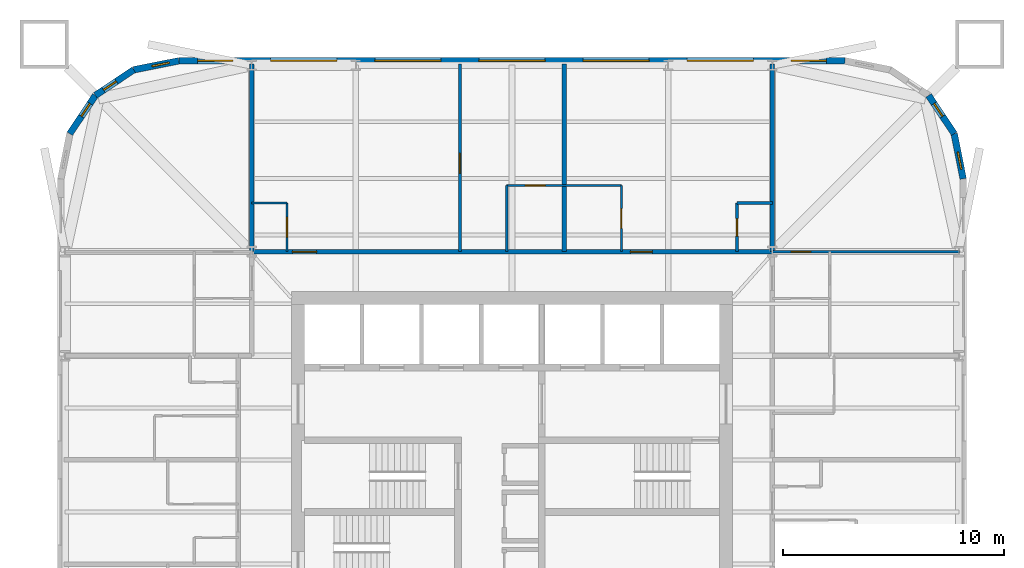
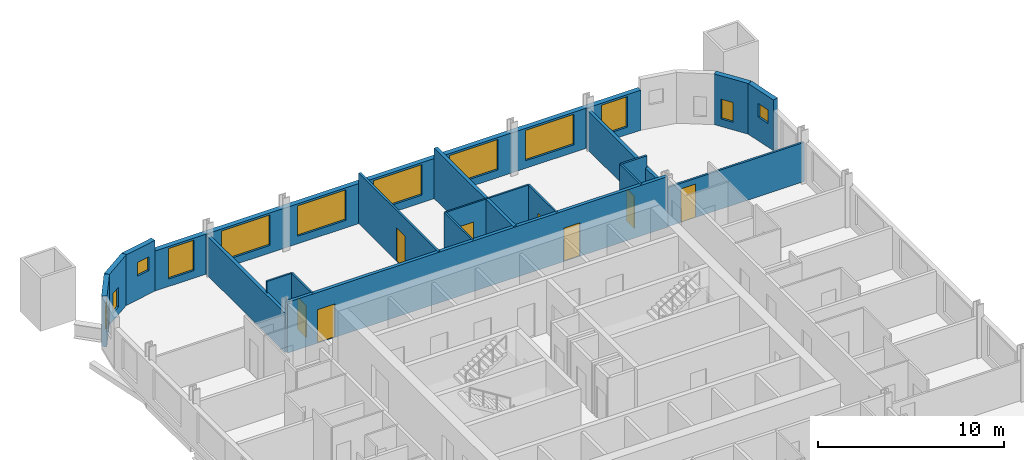
# One storey, part 7 of 9: 19 walls, 12 windows, 8 doors, 20 openings.
"""IFC4 building model written with IfcOpenShell, lengths in metres."""

from ifc_helpers import new_model, si_unit, direction, frame, frame_2d, origin, place, context, subcontext, project, spatial, rectangle, extrude, material, layer, layer_set, type_object, element, fill, save


model = new_model("IFC4")

# Units and contexts
model_context = context("Model", 3, precision=1e-05, world=origin(), true_north=direction((0.0, 1.0)))
body_context = subcontext(model_context, "Body", "Model", "MODEL_VIEW")
ifc_project = project(units=[si_unit("LENGTHUNIT", "METRE"), si_unit("AREAUNIT", "SQUARE_METRE"), si_unit("VOLUMEUNIT", "CUBIC_METRE"), si_unit("PLANEANGLEUNIT", "RADIAN"), si_unit("MASSUNIT", "GRAM", prefix="KILO")], contexts=[model_context])

# Site, building, storey
site_placement = place(None, origin())
site = spatial("IfcSite", under=ifc_project, at=site_placement, CompositionType="ELEMENT")
building_placement = place(site_placement, origin())
building = spatial("IfcBuilding", under=site, at=building_placement, Name="Turquesa Mirador Hotel Tower", CompositionType="ELEMENT")
storey_placement = place(building_placement, frame((0.0, 0.0, 149.39990234375)))
storey = spatial("IfcBuildingStorey", under=building, at=storey_placement, Name="L40", CompositionType="ELEMENT", Elevation=149.39990234375)

# Wall
ifc_material_1 = material(Name="Gypsum board on steel studs", Category="steel")
ifc_layer_1 = layer(ifc_material_1, 0.10009765625)
ifc_layer_set_1 = layer_set([ifc_layer_1], Name="BATHROOM WALL 100")
wall_type_1 = type_object("IfcWallType", Name="BATHROOM WALL 100", PredefinedType="PARTITIONING", material=ifc_layer_set_1)
wall_1_placement = place(storey_placement, frame((43.199951171875, 59.0, 0.0), z_axis=(0.0, 0.0, 1.0), x_axis=(1.0, 0.0, 0.0)))
element("IfcWall", 1, at=wall_1_placement, inside=storey, type_object=wall_type_1, Name="Partition L40 024", PredefinedType="PARTITIONING", context=body_context, shape_type="SweptSolid", body=[
    extrude(rectangle(XDim=1.60009765625, YDim=0.10009765625, at=frame_2d((0.800048828125, 0.0))), origin(), (0.0, 0.0, 1.0), 3.330078125),
])

# Wall, opening, door
wall_2_placement = place(storey_placement, frame((54.760009765625, 59.800048828125, 0.0), z_axis=(0.0, 0.0, 1.0), x_axis=(1.0, 0.0, 0.0)))
wall_2 = element("IfcWall", 2, at=wall_2_placement, inside=storey, type_object=wall_type_1, Name="Partition L40 026", PredefinedType="PARTITIONING", context=body_context, shape_type="SweptSolid", body=[
    extrude(rectangle(XDim=5.199951171875, YDim=0.10009765625, at=frame_2d((2.60009765625, 0.0))), origin(), (0.0, 0.0, 1.0), 3.330078125),
])
opening_1_placement = place(wall_2_placement, frame((0.85009765625, 0.0, 0.0)))
opening_1 = element("IfcOpeningElement", 3, at=opening_1_placement, cuts=wall_2, Name="Opening D02", PredefinedType="OPENING", context=body_context, shape_type="SweptSolid", body=[
    extrude(rectangle(XDim=0.89990234375, YDim=2.10009765625, at=frame_2d((0.449951171875, 1.050048828125))), frame((0.0, 0.06005859375, 0.0), z_axis=(0.0, -1.0, 0.0), x_axis=(1.0, 0.0, 0.0)), (0.0, 0.0, 1.0), 0.1201171875),
])
ifc_material_2 = material(Name="Timber veneered door", Category="wood")
door_type_1 = type_object("IfcDoorType", Name="DOOR 900X2100 EN-SUITE", OperationType="SINGLE_SWING_RIGHT", PredefinedType="DOOR", material=ifc_material_2)
door_1_placement = place(opening_1_placement, origin())
door_1 = element("IfcDoor", 4, at=door_1_placement, inside=storey, type_object=door_type_1, Name="Door 4001B", OperationType="SINGLE_SWING_RIGHT", OverallHeight=2.10009765625, OverallWidth=0.89990234375, PredefinedType="DOOR", context=body_context, shape_type="SweptSolid", body=[
    extrude(rectangle(XDim=0.89990234375, YDim=2.10009765625, at=frame_2d((0.449951171875, 1.050048828125))), frame((0.0, 0.02490234375, 0.0), z_axis=(0.0, -1.0, 0.0), x_axis=(1.0, 0.0, 0.0)), (0.0, 0.0, 1.0), 0.050048828125),
])
fill(opening_1, door_1)

# Wall
wall_3_placement = place(storey_placement, frame((54.760009765625, 56.800048828125, 0.0), z_axis=(0.0, 0.0, 1.0), x_axis=(0.0, 1.0, 0.0)))
element("IfcWall", 5, at=wall_3_placement, inside=storey, type_object=wall_type_1, Name="Partition L40 040", PredefinedType="PARTITIONING", context=body_context, shape_type="SweptSolid", body=[
    extrude(rectangle(XDim=3.0, YDim=0.10009765625, at=frame_2d((1.5, 0.0))), origin(), (0.0, 0.0, 1.0), 3.330078125),
])

# Wall, opening, door
wall_4_placement = place(storey_placement, frame((44.800048828125, 56.800048828125, 0.0), z_axis=(0.0, 0.0, 1.0), x_axis=(0.0, 1.0, 0.0)))
wall_4 = element("IfcWall", 6, at=wall_4_placement, inside=storey, type_object=wall_type_1, Name="Partition L40 042", PredefinedType="PARTITIONING", context=body_context, shape_type="SweptSolid", body=[
    extrude(rectangle(XDim=2.199951171875, YDim=0.10009765625, at=frame_2d((1.10009765625, 0.0))), origin(), (0.0, 0.0, 1.0), 3.330078125),
])
opening_2_placement = place(wall_4_placement, frame((0.64990234375, 0.0, 0.0)))
opening_2 = element("IfcOpeningElement", 7, at=opening_2_placement, cuts=wall_4, Name="Opening D06", PredefinedType="OPENING", context=body_context, shape_type="SweptSolid", body=[
    extrude(rectangle(XDim=0.89990234375, YDim=2.10009765625, at=frame_2d((0.449951171875, 1.050048828125))), frame((0.0, 0.06005859375, 0.0), z_axis=(0.0, -1.0, 0.0), x_axis=(1.0, 0.0, 0.0)), (0.0, 0.0, 1.0), 0.1201171875),
])
ifc_material_3 = material(Name="Laminate door", Category="wood")
door_type_2 = type_object("IfcDoorType", Name="DOOR 900X2100 WC", OperationType="SINGLE_SWING_LEFT", PredefinedType="DOOR", material=ifc_material_3)
door_2_placement = place(opening_2_placement, origin())
door_2 = element("IfcDoor", 8, at=door_2_placement, inside=storey, type_object=door_type_2, Name="Door 4001W", OperationType="SINGLE_SWING_LEFT", OverallHeight=2.10009765625, OverallWidth=0.89990234375, PredefinedType="DOOR", context=body_context, shape_type="SweptSolid", body=[
    extrude(rectangle(XDim=0.89990234375, YDim=2.10009765625, at=frame_2d((0.449951171875, 1.050048828125))), frame((0.0, 0.02490234375, 0.0), z_axis=(0.0, -1.0, 0.0), x_axis=(1.0, 0.0, 0.0)), (0.0, 0.0, 1.0), 0.050048828125),
])
fill(opening_2, door_2)

wall_5_placement = place(storey_placement, frame((59.9599609375, 56.800048828125, 0.0), z_axis=(0.0, 0.0, 1.0), x_axis=(0.0, 1.0, 0.0)))
wall_5 = element("IfcWall", 9, at=wall_5_placement, inside=storey, type_object=wall_type_1, Name="Partition L40 075", PredefinedType="PARTITIONING", context=body_context, shape_type="SweptSolid", body=[
    extrude(rectangle(XDim=3.0, YDim=0.10009765625, at=frame_2d((1.5, 0.0))), origin(), (0.0, 0.0, 1.0), 3.330078125),
])
opening_3_placement = place(wall_5_placement, frame((1.050048828125, 0.0, 0.0)))
opening_3 = element("IfcOpeningElement", 10, at=opening_3_placement, cuts=wall_5, Name="Opening D02", PredefinedType="OPENING", context=body_context, shape_type="SweptSolid", body=[
    extrude(rectangle(XDim=0.89990234375, YDim=2.10009765625, at=frame_2d((0.449951171875, 1.050048828125))), frame((0.0, 0.06005859375, 0.0), z_axis=(0.0, -1.0, 0.0), x_axis=(1.0, 0.0, 0.0)), (0.0, 0.0, 1.0), 0.1201171875),
])
door_3_placement = place(opening_3_placement, origin())
door_3 = element("IfcDoor", 11, at=door_3_placement, inside=storey, type_object=door_type_1, Name="Door 4002B", OperationType="SINGLE_SWING_RIGHT", OverallHeight=2.10009765625, OverallWidth=0.89990234375, PredefinedType="DOOR", context=body_context, shape_type="SweptSolid", body=[
    extrude(rectangle(XDim=0.89990234375, YDim=2.10009765625, at=frame_2d((0.449951171875, 1.050048828125))), frame((0.0, 0.02490234375, 0.0), z_axis=(0.0, -1.0, 0.0), x_axis=(1.0, 0.0, 0.0)), (0.0, 0.0, 1.0), 0.050048828125),
])
fill(opening_3, door_3)

# Wall, openings, doors
ifc_material_4 = material(Name="Fire-rated gypsum board on steel studs", Category="steel")
ifc_layer_2 = layer(ifc_material_4, 0.199951171875)
ifc_layer_set_2 = layer_set([ifc_layer_2], Name="CORRIDOR WALL 200")
wall_type_2 = type_object("IfcWallType", Name="CORRIDOR WALL 200", PredefinedType="PARTITIONING", material=ifc_layer_set_2)
wall_6_placement = place(storey_placement, frame((43.199951171875, 56.800048828125, 0.0), z_axis=(0.0, 0.0, 1.0), x_axis=(1.0, 0.0, 0.0)))
wall_6 = element("IfcWall", 12, at=wall_6_placement, inside=storey, type_object=wall_type_2, Name="Partition L40 021", PredefinedType="PARTITIONING", context=body_context, shape_type="SweptSolid", body=[
    extrude(rectangle(XDim=23.60009765625, YDim=0.199951171875, at=frame_2d((11.800048828125, 0.0))), origin(), (0.0, 0.0, 1.0), 3.330078125),
])
opening_4_placement = place(wall_6_placement, frame((1.85009765625, 0.0, 0.0)))
opening_4 = element("IfcOpeningElement", 13, at=opening_4_placement, cuts=wall_6, Name="Opening D15", PredefinedType="OPENING", context=body_context, shape_type="SweptSolid", body=[
    extrude(rectangle(XDim=1.10009765625, YDim=2.199951171875, at=frame_2d((0.550048828125, 1.10009765625))), frame((0.0, 0.10986328125, 0.0), z_axis=(0.0, -1.0, 0.0), x_axis=(1.0, 0.0, 0.0)), (0.0, 0.0, 1.0), 0.219970703125),
])
opening_5_placement = place(wall_6_placement, frame((17.159912109375, 0.0, 0.0)))
opening_5 = element("IfcOpeningElement", 14, at=opening_5_placement, cuts=wall_6, Name="Opening D01", PredefinedType="OPENING", context=body_context, shape_type="SweptSolid", body=[
    extrude(rectangle(XDim=1.0, YDim=2.199951171875, at=frame_2d((0.5, 1.10009765625))), frame((0.0, 0.10986328125, 0.0), z_axis=(0.0, -1.0, 0.0), x_axis=(1.0, 0.0, 0.0)), (0.0, 0.0, 1.0), 0.219970703125),
])
ifc_material_5 = material(Name="Timber veneered fire door", Category="wood")
door_type_3 = type_object("IfcDoorType", Name="DOOR 1000X2200 GUEST ENTRY", OperationType="SINGLE_SWING_LEFT", PredefinedType="DOOR", material=ifc_material_5)
door_4_placement = place(opening_5_placement, origin())
door_4 = element("IfcDoor", 15, at=door_4_placement, inside=storey, type_object=door_type_3, Name="Door 4002", OperationType="SINGLE_SWING_LEFT", OverallHeight=2.199951171875, OverallWidth=1.0, PredefinedType="DOOR", context=body_context, shape_type="SweptSolid", body=[
    extrude(rectangle(XDim=1.0, YDim=2.199951171875, at=frame_2d((0.5, 1.10009765625))), frame((0.0, 0.02490234375, 0.0), z_axis=(0.0, -1.0, 0.0), x_axis=(1.0, 0.0, 0.0)), (0.0, 0.0, 1.0), 0.050048828125),
])
fill(opening_5, door_4)
ifc_material_6 = material(Name="Timber veneered fire door", Category="wood")
door_type_4 = type_object("IfcDoorType", Name="DOOR 1100X2200 SUITE ENTRY", OperationType="SINGLE_SWING_LEFT", PredefinedType="DOOR", material=ifc_material_6)
door_5_placement = place(opening_4_placement, origin())
door_5 = element("IfcDoor", 16, at=door_5_placement, inside=storey, type_object=door_type_4, Name="Door 4001", OperationType="SINGLE_SWING_LEFT", OverallHeight=2.199951171875, OverallWidth=1.10009765625, PredefinedType="DOOR", context=body_context, shape_type="SweptSolid", body=[
    extrude(rectangle(XDim=1.10009765625, YDim=2.199951171875, at=frame_2d((0.550048828125, 1.10009765625))), frame((0.0, 0.02490234375, 0.0), z_axis=(0.0, -1.0, 0.0), x_axis=(1.0, 0.0, 0.0)), (0.0, 0.0, 1.0), 0.050048828125),
])
fill(opening_4, door_5)

# Wall, opening, window
ifc_material_7 = material(Name="Limestone cladding on concrete block", Category="masonry")
ifc_layer_3 = layer(ifc_material_7, 0.300048828125)
ifc_layer_set_3 = layer_set([ifc_layer_3], Name="FACADE WALL 300 STONE SCREEN")
wall_type_3 = type_object("IfcWallType", Name="FACADE WALL 300 STONE SCREEN", PredefinedType="SOLIDWALL", material=ifc_layer_set_3)
wall_7_placement = place(storey_placement, frame((75.449951171875, 60.10009765625, 0.0), z_axis=(0.0, 0.0, 1.0), x_axis=(-0.195081421501, 0.980787050784, 0.0)))
wall_7 = element("IfcWall", 17, at=wall_7_placement, inside=storey, type_object=wall_type_3, Name="Facade wall L40 05", PredefinedType="SOLIDWALL", context=body_context, shape_type="SweptSolid", body=[
    extrude(rectangle(XDim=2.08740234375, YDim=0.300048828125, at=frame_2d((1.043701171875, 0.0))), origin(), (0.0, 0.0, 1.0), 3.330078125),
])
opening_6_placement = place(wall_7_placement, frame((0.443603515625, 0.0, 1.550048828125)))
opening_6 = element("IfcOpeningElement", 18, at=opening_6_placement, cuts=wall_7, Name="Opening WN18", PredefinedType="OPENING", context=body_context, shape_type="SweptSolid", body=[
    extrude(rectangle(XDim=0.800048828125, YDim=0.89990234375, at=frame_2d((0.39990234375, 0.449951171875))), frame((0.0, 0.159912109375, 0.0), z_axis=(0.0, -1.0, 0.0), x_axis=(1.0, 0.0, 0.0)), (0.0, 0.0, 1.0), 0.320068359375),
])
ifc_material_8 = material(Name="Ceramic-fritted laminated glass", Category="glass")
window_type_1 = type_object("IfcWindowType", Name="FRITTED CORNER WINDOW 800X900", PartitioningType="DOUBLE_PANEL_HORIZONTAL", PredefinedType="WINDOW", material=ifc_material_8)
window_1_placement = place(opening_6_placement, origin())
window_1 = element("IfcWindow", 19, at=window_1_placement, inside=storey, type_object=window_type_1, Name="Window L40", OverallHeight=0.89990234375, OverallWidth=0.800048828125, PartitioningType="SINGLE_PANEL", PredefinedType="WINDOW", context=body_context, shape_type="SweptSolid", body=[
    extrude(rectangle(XDim=0.800048828125, YDim=0.89990234375, at=frame_2d((0.39990234375, 0.449951171875))), frame((0.0, 0.030029296875, 0.0), z_axis=(0.0, -1.0, 0.0), x_axis=(1.0, 0.0, 0.0)), (0.0, 0.0, 1.0), 0.06005859375),
])
fill(opening_6, window_1)

wall_8_placement = place(storey_placement, frame((75.042724609375, 62.1474609375, 0.0), z_axis=(0.0, 0.0, 1.0), x_axis=(-0.555563607591, 0.831474039234, 0.0)))
wall_8 = element("IfcWall", 20, at=wall_8_placement, inside=storey, type_object=wall_type_3, Name="Facade wall L40 06", PredefinedType="SOLIDWALL", context=body_context, shape_type="SweptSolid", body=[
    extrude(rectangle(XDim=2.08740234375, YDim=0.300048828125, at=frame_2d((1.043701171875, 0.0))), origin(), (0.0, 0.0, 1.0), 3.330078125),
])
opening_7_placement = place(wall_8_placement, frame((0.943603515625, 0.0, 0.5)))
opening_7 = element("IfcOpeningElement", 21, at=opening_7_placement, cuts=wall_8, Name="Opening WN17", PredefinedType="OPENING", context=body_context, shape_type="SweptSolid", body=[
    extrude(rectangle(XDim=0.699951171875, YDim=1.300048828125, at=frame_2d((0.35009765625, 0.64990234375))), frame((0.0, 0.159912109375, 0.0), z_axis=(0.0, -1.0, 0.0), x_axis=(1.0, 0.0, 0.0)), (0.0, 0.0, 1.0), 0.320068359375),
])
ifc_material_9 = material(Name="Ceramic-fritted laminated glass", Category="glass")
window_type_2 = type_object("IfcWindowType", Name="FRITTED CORNER WINDOW 700X1300", PartitioningType="DOUBLE_PANEL_HORIZONTAL", PredefinedType="WINDOW", material=ifc_material_9)
window_2_placement = place(opening_7_placement, origin())
window_2 = element("IfcWindow", 22, at=window_2_placement, inside=storey, type_object=window_type_2, Name="Window L40", OverallHeight=1.300048828125, OverallWidth=0.699951171875, PartitioningType="SINGLE_PANEL", PredefinedType="WINDOW", context=body_context, shape_type="SweptSolid", body=[
    extrude(rectangle(XDim=0.699951171875, YDim=1.300048828125, at=frame_2d((0.35009765625, 0.64990234375))), frame((0.0, 0.030029296875, 0.0), z_axis=(0.0, -1.0, 0.0), x_axis=(1.0, 0.0, 0.0)), (0.0, 0.0, 1.0), 0.06005859375),
])
fill(opening_7, window_2)

# Wall, openings, windows
wall_9_placement = place(storey_placement, frame((70.10009765625, 65.449951171875, 0.0), z_axis=(0.0, 0.0, 1.0), x_axis=(-1.0, 0.0, 0.0)))
wall_9 = element("IfcWall", 23, at=wall_9_placement, inside=storey, type_object=wall_type_3, Name="Facade wall L40 09", PredefinedType="SOLIDWALL", context=body_context, shape_type="SweptSolid", body=[
    extrude(rectangle(XDim=30.2001953125, YDim=0.300048828125, at=frame_2d((15.10009765625, 0.0))), origin(), (0.0, 0.0, 1.0), 2.630126953125),
])
opening_8_placement = place(wall_9_placement, frame((0.85009765625, 0.0, 0.5)))
opening_8 = element("IfcOpeningElement", 24, at=opening_8_placement, cuts=wall_9, Name="Opening WN3", PredefinedType="OPENING", context=body_context, shape_type="SweptSolid", body=[
    extrude(rectangle(XDim=1.60009765625, YDim=2.0, at=frame_2d((0.800048828125, 1.0))), frame((0.0, 0.159912109375, 0.0), z_axis=(0.0, -1.0, 0.0), x_axis=(1.0, 0.0, 0.0)), (0.0, 0.0, 1.0), 0.320068359375),
])
opening_9_placement = place(wall_9_placement, frame((4.159912109375, 0.0, 0.5)))
opening_9 = element("IfcOpeningElement", 25, at=opening_9_placement, cuts=wall_9, Name="Opening WN1", PredefinedType="OPENING", context=body_context, shape_type="SweptSolid", body=[
    extrude(rectangle(XDim=3.0, YDim=2.0, at=frame_2d((1.5, 1.0))), frame((0.0, 0.159912109375, 0.0), z_axis=(0.0, -1.0, 0.0), x_axis=(1.0, 0.0, 0.0)), (0.0, 0.0, 1.0), 0.320068359375),
])
opening_10_placement = place(wall_9_placement, frame((8.8798828125, 0.0, 0.5)))
opening_10 = element("IfcOpeningElement", 26, at=opening_10_placement, cuts=wall_9, Name="Opening WN1", PredefinedType="OPENING", context=body_context, shape_type="SweptSolid", body=[
    extrude(rectangle(XDim=3.0, YDim=2.0, at=frame_2d((1.5, 1.0))), frame((0.0, 0.159912109375, 0.0), z_axis=(0.0, -1.0, 0.0), x_axis=(1.0, 0.0, 0.0)), (0.0, 0.0, 1.0), 0.320068359375),
])
opening_11_placement = place(wall_9_placement, frame((13.60009765625, 0.0, 0.5)))
opening_11 = element("IfcOpeningElement", 27, at=opening_11_placement, cuts=wall_9, Name="Opening WN1", PredefinedType="OPENING", context=body_context, shape_type="SweptSolid", body=[
    extrude(rectangle(XDim=3.0, YDim=2.0, at=frame_2d((1.5, 1.0))), frame((0.0, 0.159912109375, 0.0), z_axis=(0.0, -1.0, 0.0), x_axis=(1.0, 0.0, 0.0)), (0.0, 0.0, 1.0), 0.320068359375),
])
opening_12_placement = place(wall_9_placement, frame((18.320068359375, 0.0, 0.5)))
opening_12 = element("IfcOpeningElement", 28, at=opening_12_placement, cuts=wall_9, Name="Opening WN1", PredefinedType="OPENING", context=body_context, shape_type="SweptSolid", body=[
    extrude(rectangle(XDim=3.0, YDim=2.0, at=frame_2d((1.5, 1.0))), frame((0.0, 0.159912109375, 0.0), z_axis=(0.0, -1.0, 0.0), x_axis=(1.0, 0.0, 0.0)), (0.0, 0.0, 1.0), 0.320068359375),
])
opening_13_placement = place(wall_9_placement, frame((23.0400390625, 0.0, 0.5)))
opening_13 = element("IfcOpeningElement", 29, at=opening_13_placement, cuts=wall_9, Name="Opening WN1", PredefinedType="OPENING", context=body_context, shape_type="SweptSolid", body=[
    extrude(rectangle(XDim=3.0, YDim=2.0, at=frame_2d((1.5, 1.0))), frame((0.0, 0.159912109375, 0.0), z_axis=(0.0, -1.0, 0.0), x_axis=(1.0, 0.0, 0.0)), (0.0, 0.0, 1.0), 0.320068359375),
])
opening_14_placement = place(wall_9_placement, frame((27.75, 0.0, 0.5)))
opening_14 = element("IfcOpeningElement", 30, at=opening_14_placement, cuts=wall_9, Name="Opening WN3", PredefinedType="OPENING", context=body_context, shape_type="SweptSolid", body=[
    extrude(rectangle(XDim=1.60009765625, YDim=2.0, at=frame_2d((0.800048828125, 1.0))), frame((0.0, 0.159912109375, 0.0), z_axis=(0.0, -1.0, 0.0), x_axis=(1.0, 0.0, 0.0)), (0.0, 0.0, 1.0), 0.320068359375),
])
ifc_material_10 = material(Name="Ceramic-fritted laminated glass", Category="glass")
window_type_3 = type_object("IfcWindowType", Name="FRITTED WINDOW 1600X2000", PartitioningType="DOUBLE_PANEL_HORIZONTAL", PredefinedType="WINDOW", material=ifc_material_10)
window_3_placement = place(opening_8_placement, origin())
window_3 = element("IfcWindow", 31, at=window_3_placement, inside=storey, type_object=window_type_3, Name="Window L40", OverallHeight=2.0, OverallWidth=1.60009765625, PartitioningType="SINGLE_PANEL", PredefinedType="WINDOW", context=body_context, shape_type="SweptSolid", body=[
    extrude(rectangle(XDim=1.60009765625, YDim=2.0, at=frame_2d((0.800048828125, 1.0))), frame((0.0, 0.030029296875, 0.0), z_axis=(0.0, -1.0, 0.0), x_axis=(1.0, 0.0, 0.0)), (0.0, 0.0, 1.0), 0.06005859375),
])
fill(opening_8, window_3)
window_4_placement = place(opening_14_placement, origin())
window_4 = element("IfcWindow", 32, at=window_4_placement, inside=storey, type_object=window_type_3, Name="Window L40", OverallHeight=2.0, OverallWidth=1.60009765625, PartitioningType="SINGLE_PANEL", PredefinedType="WINDOW", context=body_context, shape_type="SweptSolid", body=[
    extrude(rectangle(XDim=1.60009765625, YDim=2.0, at=frame_2d((0.800048828125, 1.0))), frame((0.0, 0.030029296875, 0.0), z_axis=(0.0, -1.0, 0.0), x_axis=(1.0, 0.0, 0.0)), (0.0, 0.0, 1.0), 0.06005859375),
])
fill(opening_14, window_4)
ifc_material_11 = material(Name="Ceramic-fritted laminated glass", Category="glass")
window_type_4 = type_object("IfcWindowType", Name="FRITTED WINDOW 3000X2000", PartitioningType="DOUBLE_PANEL_HORIZONTAL", PredefinedType="WINDOW", material=ifc_material_11)
window_5_placement = place(opening_9_placement, origin())
window_5 = element("IfcWindow", 33, at=window_5_placement, inside=storey, type_object=window_type_4, Name="Window L40", OverallHeight=2.0, OverallWidth=3.0, PartitioningType="SINGLE_PANEL", PredefinedType="WINDOW", context=body_context, shape_type="SweptSolid", body=[
    extrude(rectangle(XDim=3.0, YDim=2.0, at=frame_2d((1.5, 1.0))), frame((0.0, 0.030029296875, 0.0), z_axis=(0.0, -1.0, 0.0), x_axis=(1.0, 0.0, 0.0)), (0.0, 0.0, 1.0), 0.06005859375),
])
fill(opening_9, window_5)
window_6_placement = place(opening_10_placement, origin())
window_6 = element("IfcWindow", 34, at=window_6_placement, inside=storey, type_object=window_type_4, Name="Window L40", OverallHeight=2.0, OverallWidth=3.0, PartitioningType="SINGLE_PANEL", PredefinedType="WINDOW", context=body_context, shape_type="SweptSolid", body=[
    extrude(rectangle(XDim=3.0, YDim=2.0, at=frame_2d((1.5, 1.0))), frame((0.0, 0.030029296875, 0.0), z_axis=(0.0, -1.0, 0.0), x_axis=(1.0, 0.0, 0.0)), (0.0, 0.0, 1.0), 0.06005859375),
])
fill(opening_10, window_6)
window_7_placement = place(opening_11_placement, origin())
window_7 = element("IfcWindow", 35, at=window_7_placement, inside=storey, type_object=window_type_4, Name="Window L40", OverallHeight=2.0, OverallWidth=3.0, PartitioningType="SINGLE_PANEL", PredefinedType="WINDOW", context=body_context, shape_type="SweptSolid", body=[
    extrude(rectangle(XDim=3.0, YDim=2.0, at=frame_2d((1.5, 1.0))), frame((0.0, 0.030029296875, 0.0), z_axis=(0.0, -1.0, 0.0), x_axis=(1.0, 0.0, 0.0)), (0.0, 0.0, 1.0), 0.06005859375),
])
fill(opening_11, window_7)
window_8_placement = place(opening_12_placement, origin())
window_8 = element("IfcWindow", 36, at=window_8_placement, inside=storey, type_object=window_type_4, Name="Window L40", OverallHeight=2.0, OverallWidth=3.0, PartitioningType="SINGLE_PANEL", PredefinedType="WINDOW", context=body_context, shape_type="SweptSolid", body=[
    extrude(rectangle(XDim=3.0, YDim=2.0, at=frame_2d((1.5, 1.0))), frame((0.0, 0.030029296875, 0.0), z_axis=(0.0, -1.0, 0.0), x_axis=(1.0, 0.0, 0.0)), (0.0, 0.0, 1.0), 0.06005859375),
])
fill(opening_12, window_8)
window_9_placement = place(opening_13_placement, origin())
window_9 = element("IfcWindow", 37, at=window_9_placement, inside=storey, type_object=window_type_4, Name="Window L40", OverallHeight=2.0, OverallWidth=3.0, PartitioningType="SINGLE_PANEL", PredefinedType="WINDOW", context=body_context, shape_type="SweptSolid", body=[
    extrude(rectangle(XDim=3.0, YDim=2.0, at=frame_2d((1.5, 1.0))), frame((0.0, 0.030029296875, 0.0), z_axis=(0.0, -1.0, 0.0), x_axis=(1.0, 0.0, 0.0)), (0.0, 0.0, 1.0), 0.06005859375),
])
fill(opening_13, window_9)

# Wall, opening, window
wall_10_placement = place(storey_placement, frame((39.89990234375, 65.449951171875, 0.0), z_axis=(0.0, 0.0, 1.0), x_axis=(-0.980787050784, -0.195081421501, 0.0)))
wall_10 = element("IfcWall", 38, at=wall_10_placement, inside=storey, type_object=wall_type_3, Name="Facade wall L40 10", PredefinedType="SOLIDWALL", context=body_context, shape_type="SweptSolid", body=[
    extrude(rectangle(XDim=2.08740234375, YDim=0.300048828125, at=frame_2d((1.043701171875, 0.0))), origin(), (0.0, 0.0, 1.0), 3.330078125),
])
opening_15_placement = place(wall_10_placement, frame((0.443603515625, 0.0, 1.550048828125)))
opening_15 = element("IfcOpeningElement", 39, at=opening_15_placement, cuts=wall_10, Name="Opening WN18", PredefinedType="OPENING", context=body_context, shape_type="SweptSolid", body=[
    extrude(rectangle(XDim=0.800048828125, YDim=0.89990234375, at=frame_2d((0.39990234375, 0.449951171875))), frame((0.0, 0.159912109375, 0.0), z_axis=(0.0, -1.0, 0.0), x_axis=(1.0, 0.0, 0.0)), (0.0, 0.0, 1.0), 0.320068359375),
])
window_10_placement = place(opening_15_placement, origin())
window_10 = element("IfcWindow", 40, at=window_10_placement, inside=storey, type_object=window_type_1, Name="Window L40", OverallHeight=0.89990234375, OverallWidth=0.800048828125, PartitioningType="SINGLE_PANEL", PredefinedType="WINDOW", context=body_context, shape_type="SweptSolid", body=[
    extrude(rectangle(XDim=0.800048828125, YDim=0.89990234375, at=frame_2d((0.39990234375, 0.449951171875))), frame((0.0, 0.030029296875, 0.0), z_axis=(0.0, -1.0, 0.0), x_axis=(1.0, 0.0, 0.0)), (0.0, 0.0, 1.0), 0.06005859375),
])
fill(opening_15, window_10)

wall_11_placement = place(storey_placement, frame((37.8525390625, 65.042724609375, 0.0), z_axis=(0.0, 0.0, 1.0), x_axis=(-0.831474039234, -0.555563607591, 0.0)))
wall_11 = element("IfcWall", 41, at=wall_11_placement, inside=storey, type_object=wall_type_3, Name="Facade wall L40 11", PredefinedType="SOLIDWALL", context=body_context, shape_type="SweptSolid", body=[
    extrude(rectangle(XDim=2.08740234375, YDim=0.300048828125, at=frame_2d((1.043701171875, 0.0))), origin(), (0.0, 0.0, 1.0), 3.330078125),
])
opening_16_placement = place(wall_11_placement, frame((0.943603515625, 0.0, 0.5)))
opening_16 = element("IfcOpeningElement", 42, at=opening_16_placement, cuts=wall_11, Name="Opening WN17", PredefinedType="OPENING", context=body_context, shape_type="SweptSolid", body=[
    extrude(rectangle(XDim=0.699951171875, YDim=1.300048828125, at=frame_2d((0.35009765625, 0.64990234375))), frame((0.0, 0.159912109375, 0.0), z_axis=(0.0, -1.0, 0.0), x_axis=(1.0, 0.0, 0.0)), (0.0, 0.0, 1.0), 0.320068359375),
])
window_11_placement = place(opening_16_placement, origin())
window_11 = element("IfcWindow", 43, at=window_11_placement, inside=storey, type_object=window_type_2, Name="Window L40", OverallHeight=1.300048828125, OverallWidth=0.699951171875, PartitioningType="SINGLE_PANEL", PredefinedType="WINDOW", context=body_context, shape_type="SweptSolid", body=[
    extrude(rectangle(XDim=0.699951171875, YDim=1.300048828125, at=frame_2d((0.35009765625, 0.64990234375))), frame((0.0, 0.030029296875, 0.0), z_axis=(0.0, -1.0, 0.0), x_axis=(1.0, 0.0, 0.0)), (0.0, 0.0, 1.0), 0.06005859375),
])
fill(opening_16, window_11)

wall_12_placement = place(storey_placement, frame((36.116943359375, 63.883056640625, 0.0), z_axis=(0.0, 0.0, 1.0), x_axis=(-0.555563607591, -0.831474039234, 0.0)))
wall_12 = element("IfcWall", 44, at=wall_12_placement, inside=storey, type_object=wall_type_3, Name="Facade wall L40 12", PredefinedType="SOLIDWALL", context=body_context, shape_type="SweptSolid", body=[
    extrude(rectangle(XDim=2.08740234375, YDim=0.300048828125, at=frame_2d((1.043701171875, 0.0))), origin(), (0.0, 0.0, 1.0), 3.330078125),
])
opening_17_placement = place(wall_12_placement, frame((0.443603515625, 0.0, 0.5)))
opening_17 = element("IfcOpeningElement", 45, at=opening_17_placement, cuts=wall_12, Name="Opening WN17", PredefinedType="OPENING", context=body_context, shape_type="SweptSolid", body=[
    extrude(rectangle(XDim=0.699951171875, YDim=1.300048828125, at=frame_2d((0.35009765625, 0.64990234375))), frame((0.0, 0.159912109375, 0.0), z_axis=(0.0, -1.0, 0.0), x_axis=(1.0, 0.0, 0.0)), (0.0, 0.0, 1.0), 0.320068359375),
])
window_12_placement = place(opening_17_placement, origin())
window_12 = element("IfcWindow", 46, at=window_12_placement, inside=storey, type_object=window_type_2, Name="Window L40", OverallHeight=1.300048828125, OverallWidth=0.699951171875, PartitioningType="SINGLE_PANEL", PredefinedType="WINDOW", context=body_context, shape_type="SweptSolid", body=[
    extrude(rectangle(XDim=0.699951171875, YDim=1.300048828125, at=frame_2d((0.35009765625, 0.64990234375))), frame((0.0, 0.030029296875, 0.0), z_axis=(0.0, -1.0, 0.0), x_axis=(1.0, 0.0, 0.0)), (0.0, 0.0, 1.0), 0.06005859375),
])
fill(opening_17, window_12)

# Walls
ifc_material_12 = material(Name="Fire-rated gypsum board on steel studs", Category="steel")
ifc_layer_4 = layer(ifc_material_12, 0.199951171875)
ifc_layer_set_4 = layer_set([ifc_layer_4], Name="PARTY WALL 200")
wall_type_4 = type_object("IfcWallType", Name="PARTY WALL 200", PredefinedType="PARTITIONING", material=ifc_layer_set_4)
for number, where, z_axis, x_axis, name in (
    (47, (43.199951171875, 56.800048828125, 0.0), (0.0, 0.0, 1.0), (0.0, 1.0, 0.0), "Partition L40 046"),
    (48, (66.800048828125, 56.800048828125, 0.0), (0.0, 0.0, 1.0), (0.0, 1.0, 0.0), "Partition L40 063"),
):
    element("IfcWall", number, at=place(storey_placement, frame(where, z_axis=z_axis, x_axis=x_axis)), inside=storey, type_object=wall_type_4, Name=name, PredefinedType="PARTITIONING", context=body_context, shape_type="SweptSolid", body=[
        extrude(rectangle(XDim=8.5, YDim=0.199951171875, at=frame_2d((4.25, 0.0))), origin(), (0.0, 0.0, 1.0), 2.5732421875),
    ])
wall_13_placement = place(storey_placement, frame((57.360107421875, 56.800048828125, 0.0), z_axis=(0.0, 0.0, 1.0), x_axis=(0.0, 1.0, 0.0)))
element("IfcWall", 49, at=wall_13_placement, inside=storey, type_object=wall_type_4, Name="Partition L40 073", PredefinedType="PARTITIONING", context=body_context, shape_type="SweptSolid", body=[
    extrude(rectangle(XDim=8.5, YDim=0.199951171875, at=frame_2d((4.25, 0.0))), origin(), (0.0, 0.0, 1.0), 3.330078125),
])

# Wall, opening, door
ifc_material_13 = material(Name="Acoustic gypsum board on steel studs", Category="steel")
ifc_layer_5 = layer(ifc_material_13, 0.125)
ifc_layer_set_5 = layer_set([ifc_layer_5], Name="SUITE PARTITION 125")
wall_type_5 = type_object("IfcWallType", Name="SUITE PARTITION 125", PredefinedType="PARTITIONING", material=ifc_layer_set_5)
wall_14_placement = place(storey_placement, frame((66.800048828125, 56.800048828125, 0.0), z_axis=(0.0, 0.0, 1.0), x_axis=(1.0, 0.0, 0.0)))
wall_14 = element("IfcWall", 50, at=wall_14_placement, inside=storey, type_object=wall_type_5, Name="Partition L40 023", PredefinedType="PARTITIONING", context=body_context, shape_type="SweptSolid", body=[
    extrude(rectangle(XDim=8.5, YDim=0.125, at=frame_2d((4.25, 0.0))), origin(), (0.0, 0.0, 1.0), 2.5732421875),
])
opening_18_placement = place(wall_14_placement, frame((0.85009765625, 0.0, 0.0)))
opening_18 = element("IfcOpeningElement", 51, at=opening_18_placement, cuts=wall_14, Name="Opening D17", PredefinedType="OPENING", context=body_context, shape_type="SweptSolid", body=[
    extrude(rectangle(XDim=0.89990234375, YDim=2.199951171875, at=frame_2d((0.449951171875, 1.10009765625))), frame((0.0, 0.072509765625, 0.0), z_axis=(0.0, -1.0, 0.0), x_axis=(1.0, 0.0, 0.0)), (0.0, 0.0, 1.0), 0.14501953125),
])
ifc_material_14 = material(Name="Timber veneered door", Category="wood")
door_type_5 = type_object("IfcDoorType", Name="DOOR 900X2200 SUITE INTERNAL", OperationType="SINGLE_SWING_LEFT", PredefinedType="DOOR", material=ifc_material_14)
door_6_placement = place(opening_18_placement, origin())
door_6 = element("IfcDoor", 52, at=door_6_placement, inside=storey, type_object=door_type_5, Name="Door 4011", OperationType="SINGLE_SWING_LEFT", OverallHeight=2.199951171875, OverallWidth=0.89990234375, PredefinedType="DOOR", context=body_context, shape_type="SweptSolid", body=[
    extrude(rectangle(XDim=0.89990234375, YDim=2.199951171875, at=frame_2d((0.449951171875, 1.10009765625))), frame((0.0, 0.02490234375, 0.0), z_axis=(0.0, -1.0, 0.0), x_axis=(1.0, 0.0, 0.0)), (0.0, 0.0, 1.0), 0.050048828125),
])
fill(opening_18, door_6)

# Wall
wall_15_placement = place(storey_placement, frame((65.199951171875, 59.0, 0.0), z_axis=(0.0, 0.0, 1.0), x_axis=(1.0, 0.0, 0.0)))
element("IfcWall", 53, at=wall_15_placement, inside=storey, type_object=wall_type_5, Name="Partition L40 025", PredefinedType="PARTITIONING", context=body_context, shape_type="SweptSolid", body=[
    extrude(rectangle(XDim=1.60009765625, YDim=0.125, at=frame_2d((0.800048828125, 0.0))), origin(), (0.0, 0.0, 1.0), 3.330078125),
])

# Wall, opening, door
wall_16_placement = place(storey_placement, frame((52.639892578125, 56.800048828125, 0.0), z_axis=(0.0, 0.0, 1.0), x_axis=(0.0, 1.0, 0.0)))
wall_16 = element("IfcWall", 54, at=wall_16_placement, inside=storey, type_object=wall_type_5, Name="Partition L40 058", PredefinedType="PARTITIONING", context=body_context, shape_type="SweptSolid", body=[
    extrude(rectangle(XDim=8.5, YDim=0.125, at=frame_2d((4.25, 0.0))), origin(), (0.0, 0.0, 1.0), 3.330078125),
])
opening_19_placement = place(wall_16_placement, frame((3.550048828125, 0.0, 0.0)))
opening_19 = element("IfcOpeningElement", 55, at=opening_19_placement, cuts=wall_16, Name="Opening D17", PredefinedType="OPENING", context=body_context, shape_type="SweptSolid", body=[
    extrude(rectangle(XDim=0.89990234375, YDim=2.199951171875, at=frame_2d((0.449951171875, 1.10009765625))), frame((0.0, 0.072509765625, 0.0), z_axis=(0.0, -1.0, 0.0), x_axis=(1.0, 0.0, 0.0)), (0.0, 0.0, 1.0), 0.14501953125),
])
door_7_placement = place(opening_19_placement, origin())
door_7 = element("IfcDoor", 56, at=door_7_placement, inside=storey, type_object=door_type_5, Name="Door 4001R", OperationType="SINGLE_SWING_LEFT", OverallHeight=2.199951171875, OverallWidth=0.89990234375, PredefinedType="DOOR", context=body_context, shape_type="SweptSolid", body=[
    extrude(rectangle(XDim=0.89990234375, YDim=2.199951171875, at=frame_2d((0.449951171875, 1.10009765625))), frame((0.0, 0.02490234375, 0.0), z_axis=(0.0, -1.0, 0.0), x_axis=(1.0, 0.0, 0.0)), (0.0, 0.0, 1.0), 0.050048828125),
])
fill(opening_19, door_7)

wall_17_placement = place(storey_placement, frame((65.199951171875, 56.800048828125, 0.0), z_axis=(0.0, 0.0, 1.0), x_axis=(0.0, 1.0, 0.0)))
wall_17 = element("IfcWall", 57, at=wall_17_placement, inside=storey, type_object=wall_type_5, Name="Partition L40 060", PredefinedType="PARTITIONING", context=body_context, shape_type="SweptSolid", body=[
    extrude(rectangle(XDim=2.199951171875, YDim=0.125, at=frame_2d((1.10009765625, 0.0))), origin(), (0.0, 0.0, 1.0), 3.330078125),
])
opening_20_placement = place(wall_17_placement, frame((0.699951171875, 0.0, 0.0)))
opening_20 = element("IfcOpeningElement", 58, at=opening_20_placement, cuts=wall_17, Name="Opening D20", PredefinedType="OPENING", context=body_context, shape_type="SweptSolid", body=[
    extrude(rectangle(XDim=0.800048828125, YDim=2.10009765625, at=frame_2d((0.39990234375, 1.050048828125))), frame((0.0, 0.072509765625, 0.0), z_axis=(0.0, -1.0, 0.0), x_axis=(1.0, 0.0, 0.0)), (0.0, 0.0, 1.0), 0.14501953125),
])
ifc_material_15 = material(Name="Timber veneered sliding door", Category="wood")
door_type_6 = type_object("IfcDoorType", Name="DOOR 800X2100 WARDROBE", OperationType="SLIDING_TO_LEFT", PredefinedType="DOOR", material=ifc_material_15)
door_8_placement = place(opening_20_placement, origin())
door_8 = element("IfcDoor", 59, at=door_8_placement, inside=storey, type_object=door_type_6, Name="Door 4002W", OperationType="SLIDING_TO_LEFT", OverallHeight=2.10009765625, OverallWidth=0.800048828125, PredefinedType="DOOR", context=body_context, shape_type="SweptSolid", body=[
    extrude(rectangle(XDim=0.800048828125, YDim=2.10009765625, at=frame_2d((0.39990234375, 1.050048828125))), frame((0.0, 0.02490234375, 0.0), z_axis=(0.0, -1.0, 0.0), x_axis=(1.0, 0.0, 0.0)), (0.0, 0.0, 1.0), 0.050048828125),
])
fill(opening_20, door_8)

save(model, "model.ifc")
